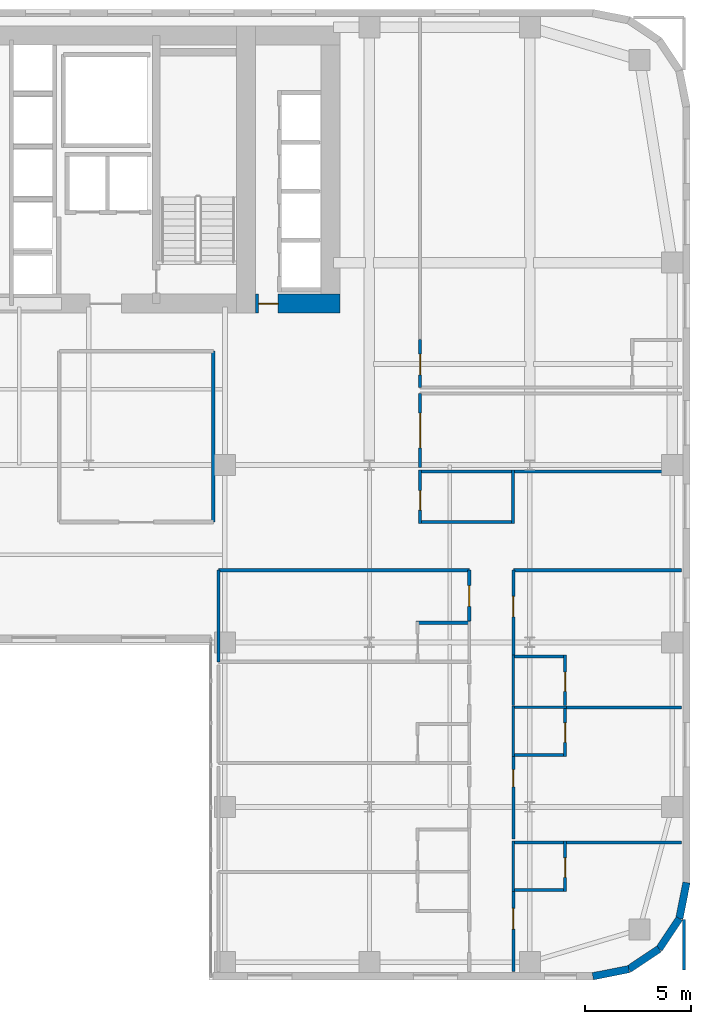
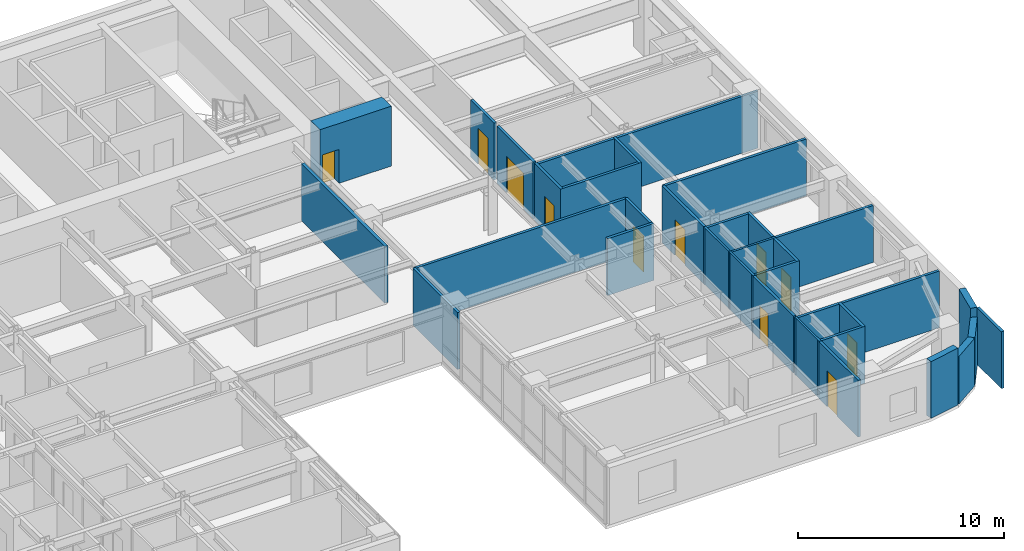
# One storey, part 13 of 17: 34 walls, 11 doors, 11 openings.
"""IFC4 building model written with IfcOpenShell, lengths in metres."""

from ifc_helpers import new_model, si_unit, direction, frame, frame_2d, origin, place, context, subcontext, project, spatial, rectangle, extrude, source, transform, mapped, material, layer, layer_set, type_object, type_shapes, element, fill, save


model = new_model("IFC4")

# Units and contexts
model_context = context("Model", 3, precision=1e-05, world=origin(), true_north=direction((0.0, 1.0)))
body_context = subcontext(model_context, "Body", "Model", "MODEL_VIEW")
ifc_project = project(units=[si_unit("LENGTHUNIT", "METRE"), si_unit("AREAUNIT", "SQUARE_METRE"), si_unit("VOLUMEUNIT", "CUBIC_METRE"), si_unit("PLANEANGLEUNIT", "RADIAN"), si_unit("MASSUNIT", "GRAM", prefix="KILO")], contexts=[model_context])

# Site, building, storey
site_placement = place(None, origin())
site = spatial("IfcSite", under=ifc_project, at=site_placement, CompositionType="ELEMENT")
building_placement = place(site_placement, origin())
building = spatial("IfcBuilding", under=site, at=building_placement, Name="Tolvann Quenvar Hotel", CompositionType="ELEMENT")
storey_placement = place(building_placement, frame((0.0, 0.0, 42.64990234375)))
storey = spatial("IfcBuildingStorey", under=building, at=storey_placement, Name="L09", CompositionType="ELEMENT", Elevation=42.64990234375)

# Wall, opening, door
ifc_material_1 = material(Name="Concrete S80 (80 MPa)", Category="concrete")
ifc_layer_1 = layer(ifc_material_1, 0.89990234375)
ifc_layer_set_1 = layer_set([ifc_layer_1], Name="Concrete S80 (80 MPa)")
wall_type_1 = type_object("IfcWallType", Name="WALL_CORE_900", PredefinedType="SHEAR", material=ifc_layer_set_1)
wall_1_placement = place(storey_placement, frame((36.39990234375, 32.050048828125, 0.0), z_axis=(0.0, 0.0, 1.0), x_axis=(1.0, 0.0, 0.0)))
wall_1 = element("IfcWall", 1, at=wall_1_placement, inside=storey, type_object=wall_type_1, Name="Core East Annex Shear Wall ANN-S (L09)", PredefinedType="SHEAR", context=body_context, shape_type="SweptSolid", body=[
    extrude(rectangle(XDim=4.0, YDim=0.89990234375, at=frame_2d((2.0, 0.0))), origin(), (0.0, 0.0, 1.0), 3.550048828125),
])
opening_1_placement = place(wall_1_placement, frame((1.06982421875, 0.0, 0.0), z_axis=(0.0, 0.0, 1.0), x_axis=(-1.0, 0.0, 0.0)))
opening_1 = element("IfcOpeningElement", 2, at=opening_1_placement, cuts=wall_1, Name="Opening WD-01", PredefinedType="OPENING", context=body_context, shape_type="SweptSolid", body=[
    extrude(rectangle(XDim=0.919921875, YDim=2.010009765625, at=frame_2d((0.4599609375, 1.0048828125))), frame((0.0, 0.4599609375, 0.0), z_axis=(0.0, -1.0, 0.0), x_axis=(1.0, 0.0, 0.0)), (0.0, 0.0, 1.0), 0.919921875),
])
ifc_material_2 = material(Name="Solid-core American oak acoustic fire door leaf in steel frame", Category="steel")
door_type_1 = type_object("IfcDoorType", Name="DOOR_WC_920", OperationType="NOTDEFINED", PredefinedType="DOOR", material=ifc_material_2)
shared_shape_1 = source(origin(), body_context, "Body", "SweptSolid", [
    extrude(rectangle(XDim=0.919921875, YDim=2.010009765625, at=frame_2d((0.4599609375, 1.0048828125))), frame((0.0, 0.02490234375, 0.0), z_axis=(0.0, -1.0, 0.0), x_axis=(1.0, 0.0, 0.0)), (0.0, 0.0, 1.0), 0.050048828125),
])
type_shapes(door_type_1, [shared_shape_1])
door_1_placement = place(opening_1_placement, origin())
door_1 = element("IfcDoor", 3, at=door_1_placement, inside=storey, type_object=door_type_1, Name="Low-Rise Lift Lobby Fire Door (L09)", OperationType="SINGLE_SWING_RIGHT", OverallHeight=2.010009765625, OverallWidth=0.919921875, PredefinedType="DOOR", context=body_context, shape_type="MappedRepresentation", body=[
    mapped(shared_shape_1, transform((0.0, 0.0, 0.0), x_axis=(1.0, 0.0, 0.0), y_axis=(0.0, 1.0, 0.0), z_axis=(0.0, 0.0, 1.0), scale=1.0)),
])
fill(opening_1, door_1)

# Walls
ifc_material_3 = material(Name="Kiln-fired red and buff architectural clay brickwork and terracotta masonry", Category="masonry")
ifc_layer_2 = layer(ifc_material_3, 0.35009765625)
ifc_layer_set_2 = layer_set([ifc_layer_2], Name="Kiln-fired red and buff architectural clay brickwork and terracotta masonry")
wall_type_2 = type_object("IfcWallType", Name="WALL_EXT_BRICK_350", PredefinedType="SOLIDWALL", material=ifc_layer_set_2)
wall_2_placement = place(storey_placement, frame((52.3828125, 0.175048828125, 0.0), z_axis=(0.0, 0.0, 1.0), x_axis=(0.980800971659, 0.195011420161, 0.0)))
element("IfcWall", 4, at=wall_2_placement, inside=storey, type_object=wall_type_2, Name="Exterior Chicago Brick Wall L09-E09", PredefinedType="SOLIDWALL", context=body_context, shape_type="SweptSolid", body=[
    extrude(rectangle(XDim=1.74267578125, YDim=0.35009765625, at=frame_2d((0.871337890625, 0.0))), origin(), (0.0, 0.0, 1.0), 3.3701171875),
])
for number, where, z_axis, x_axis, name in (
    (5, (54.092041015625, 0.514892578125, 0.0), (0.0, 0.0, 1.0), (0.831483840845, 0.55554893791, 0.0), "Exterior Chicago Brick Wall L09-E10"),
    (6, (55.526611328125, 1.473388671875, 0.0), (0.0, 0.0, 1.0), (0.55554893791, 0.831483840845, 0.0), "Exterior Chicago Brick Wall L09-E11"),
):
    element("IfcWall", number, at=place(storey_placement, frame(where, z_axis=z_axis, x_axis=x_axis)), inside=storey, type_object=wall_type_2, Name=name, PredefinedType="SOLIDWALL", context=body_context, shape_type="SweptSolid", body=[
        extrude(rectangle(XDim=1.725341796875, YDim=0.35009765625, at=frame_2d((0.86279296875, 0.0))), origin(), (0.0, 0.0, 1.0), 2.83203125),
    ])
wall_3_placement = place(storey_placement, frame((56.485107421875, 2.907958984375, 0.0), z_axis=(0.0, 0.0, 1.0), x_axis=(0.195011420161, 0.980800971659, 0.0)))
element("IfcWall", 7, at=wall_3_placement, inside=storey, type_object=wall_type_2, Name="Exterior Chicago Brick Wall L09-E12", PredefinedType="SOLIDWALL", context=body_context, shape_type="SweptSolid", body=[
    extrude(rectangle(XDim=1.74267578125, YDim=0.35009765625, at=frame_2d((0.871337890625, 0.0))), origin(), (0.0, 0.0, 1.0), 3.3701171875),
])
ifc_material_4 = material(Name="Acoustic twin-stud fire-rated gypsum plasterboard partition")
ifc_layer_3 = layer(ifc_material_4, 0.179931640625)
ifc_layer_set_3 = layer_set([ifc_layer_3], Name="Acoustic twin-stud fire-rated gypsum plasterboard partition")
wall_type_3 = type_object("IfcWallType", Name="WALL_PART_ACOUSTIC_180", PredefinedType="PARTITIONING", material=ifc_layer_set_3)
wall_4_placement = place(storey_placement, frame((34.39990234375, 21.699951171875, 0.0), z_axis=(0.0, 0.0, 1.0), x_axis=(0.0, 1.0, 0.0)))
element("IfcWall", 8, at=wall_4_placement, inside=storey, type_object=wall_type_3, Name="Interior Partition PT-SPC-L09-MSP-C-E", PredefinedType="PARTITIONING", context=body_context, shape_type="SweptSolid", body=[
    extrude(rectangle(XDim=8.10009765625, YDim=0.179931640625, at=frame_2d((4.050048828125, 0.0))), origin(), (0.0, 0.0, 1.0), 3.3701171875),
])
ifc_material_5 = material(Name="Moisture-resistant acoustic plumbing wall assembly")
ifc_layer_4 = layer(ifc_material_5, 0.1201171875)
ifc_layer_set_4 = layer_set([ifc_layer_4], Name="Moisture-resistant acoustic plumbing wall assembly")
wall_type_4 = type_object("IfcWallType", Name="WALL_PART_BATH_120", PredefinedType="PLUMBINGWALL", material=ifc_layer_set_4)
wall_5_placement = place(storey_placement, frame((48.6201171875, 4.199951171875, 0.0), z_axis=(0.0, 0.0, 1.0), x_axis=(0.0, 1.0, 0.0)))
element("IfcWall", 9, at=wall_5_placement, inside=storey, type_object=wall_type_4, Name="Non-Rated Plumbing Partition PT-SPC-L09-ENS-EO01-W", PredefinedType="PLUMBINGWALL", context=body_context, shape_type="SweptSolid", body=[
    extrude(rectangle(XDim=2.39013671875, YDim=0.1201171875, at=frame_2d((1.195068359375, 0.0))), origin(), (0.0, 0.0, 1.0), 3.3701171875),
])
wall_6_placement = place(storey_placement, frame((48.550048828125, 12.919921875, 0.0), z_axis=(0.0, 0.0, 1.0), x_axis=(1.0, 0.0, 0.0)))
element("IfcWall", 10, at=wall_6_placement, inside=storey, type_object=wall_type_4, Name="Non-Rated Plumbing Partition PT-SPC-L09-ENS-EO02-N", PredefinedType="PLUMBINGWALL", context=body_context, shape_type="SweptSolid", body=[
    extrude(rectangle(XDim=2.58984375, YDim=0.1201171875, at=frame_2d((1.294921875, 0.0))), origin(), (0.0, 0.0, 1.0), 3.3701171875),
])
for number, where, z_axis, x_axis, name in (
    (11, (48.6201171875, 10.60009765625, 0.0), (0.0, 0.0, 1.0), (0.0, 1.0, 0.0), "Non-Rated Plumbing Partition PT-SPC-L09-ENS-EO02-W"),
    (12, (48.6201171875, 13.010009765625, 0.0), (0.0, 0.0, 1.0), (0.0, 1.0, 0.0), "Non-Rated Plumbing Partition PT-SPC-L09-ENS-EO03-W"),
):
    element("IfcWall", number, at=place(storey_placement, frame(where, z_axis=z_axis, x_axis=x_axis)), inside=storey, type_object=wall_type_4, Name=name, PredefinedType="PLUMBINGWALL", context=body_context, shape_type="SweptSolid", body=[
        extrude(rectangle(XDim=2.389892578125, YDim=0.1201171875, at=frame_2d((1.19482421875, 0.0))), origin(), (0.0, 0.0, 1.0), 3.3701171875),
    ])
ifc_layer_5 = layer(ifc_material_4, 0.14990234375)
ifc_layer_set_5 = layer_set([ifc_layer_5], Name="Acoustic twin-stud fire-rated gypsum plasterboard partition")
wall_type_5 = type_object("IfcWallType", Name="WALL_PART_SUITE_150", PredefinedType="PARTITIONING", material=ifc_layer_set_5)
wall_7_placement = place(storey_placement, frame((44.010009765625, 16.929931640625, 0.0), z_axis=(0.0, 0.0, 1.0), x_axis=(1.0, 0.0, 0.0)))
element("IfcWall", 13, at=wall_7_placement, inside=storey, type_object=wall_type_5, Name="Interior Partition PT-SPC-L09-ENS-EI04-N", PredefinedType="PARTITIONING", context=body_context, shape_type="SweptSolid", body=[
    extrude(rectangle(XDim=2.590087890625, YDim=0.14990234375, at=frame_2d((1.294921875, 0.0))), origin(), (0.0, 0.0, 1.0), 3.3701171875),
])

# Wall, opening, door
wall_8_placement = place(storey_placement, frame((51.070068359375, 4.199951171875, 0.0), z_axis=(0.0, 0.0, 1.0), x_axis=(0.0, 1.0, 0.0)))
wall_8 = element("IfcWall", 14, at=wall_8_placement, inside=storey, type_object=wall_type_5, Name="Interior Partition PT-SPC-L09-ENS-EO01-ENT", PredefinedType="PARTITIONING", context=body_context, shape_type="SweptSolid", body=[
    extrude(rectangle(XDim=2.39013671875, YDim=0.14990234375, at=frame_2d((1.195068359375, 0.0))), origin(), (0.0, 0.0, 1.0), 3.3701171875),
])
opening_2_placement = place(wall_8_placement, frame((0.6650390625, 0.0, 0.0)))
opening_2 = element("IfcOpeningElement", 15, at=opening_2_placement, cuts=wall_8, Name="Opening WD-01", PredefinedType="OPENING", context=body_context, shape_type="SweptSolid", body=[
    extrude(rectangle(XDim=0.919921875, YDim=2.010009765625, at=frame_2d((0.4599609375, 1.0048828125))), frame((0.0, 0.0849609375, 0.0), z_axis=(0.0, -1.0, 0.0), x_axis=(1.0, 0.0, 0.0)), (0.0, 0.0, 1.0), 0.169921875),
])
door_2_placement = place(opening_2_placement, origin())
door_2 = element("IfcDoor", 16, at=door_2_placement, inside=storey, type_object=door_type_1, Name="Interior Door DOOR-SPC-L09-ENS-EO01", OperationType="SINGLE_SWING_LEFT", OverallHeight=2.010009765625, OverallWidth=0.919921875, PredefinedType="DOOR", context=body_context, shape_type="MappedRepresentation", body=[
    mapped(shared_shape_1, transform((0.0, 0.0, 0.0), x_axis=(1.0, 0.0, 0.0), y_axis=(0.0, 1.0, 0.0), z_axis=(0.0, 0.0, 1.0), scale=1.0)),
])
fill(opening_2, door_2)

# Walls
for number, where, z_axis, x_axis, name in (
    (17, (48.550048828125, 4.27001953125, 0.0), (0.0, 0.0, 1.0), (1.0, 0.0, 0.0), "Interior Partition PT-SPC-L09-ENS-EO01-S"),
    (18, (48.550048828125, 6.52001953125, 0.0), (0.0, 0.0, 1.0), (1.0, 0.0, 0.0), "Interior Partition PT-SPC-L09-ENS-EO01-N"),
):
    element("IfcWall", number, at=place(storey_placement, frame(where, z_axis=z_axis, x_axis=x_axis)), inside=storey, type_object=wall_type_5, Name=name, PredefinedType="PARTITIONING", context=body_context, shape_type="SweptSolid", body=[
        extrude(rectangle(XDim=2.58984375, YDim=0.14990234375, at=frame_2d((1.294921875, 0.0))), origin(), (0.0, 0.0, 1.0), 3.3701171875),
    ])

# Wall, opening, door
wall_9_placement = place(storey_placement, frame((51.070068359375, 10.60009765625, 0.0), z_axis=(0.0, 0.0, 1.0), x_axis=(0.0, 1.0, 0.0)))
wall_9 = element("IfcWall", 19, at=wall_9_placement, inside=storey, type_object=wall_type_5, Name="Interior Partition PT-SPC-L09-ENS-EO02-ENT", PredefinedType="PARTITIONING", context=body_context, shape_type="SweptSolid", body=[
    extrude(rectangle(XDim=2.389892578125, YDim=0.14990234375, at=frame_2d((1.19482421875, 0.0))), origin(), (0.0, 0.0, 1.0), 3.3701171875),
])
opening_3_placement = place(wall_9_placement, frame((0.6650390625, 0.0, 0.0)))
opening_3 = element("IfcOpeningElement", 20, at=opening_3_placement, cuts=wall_9, Name="Opening WD-01", PredefinedType="OPENING", context=body_context, shape_type="SweptSolid", body=[
    extrude(rectangle(XDim=0.919921875, YDim=2.010009765625, at=frame_2d((0.4599609375, 1.0048828125))), frame((0.0, 0.0849609375, 0.0), z_axis=(0.0, -1.0, 0.0), x_axis=(1.0, 0.0, 0.0)), (0.0, 0.0, 1.0), 0.169921875),
])
door_3_placement = place(opening_3_placement, origin())
door_3 = element("IfcDoor", 21, at=door_3_placement, inside=storey, type_object=door_type_1, Name="Interior Door DOOR-SPC-L09-ENS-EO02", OperationType="SINGLE_SWING_RIGHT", OverallHeight=2.010009765625, OverallWidth=0.919921875, PredefinedType="DOOR", context=body_context, shape_type="MappedRepresentation", body=[
    mapped(shared_shape_1, transform((0.0, 0.0, 0.0), x_axis=(1.0, 0.0, 0.0), y_axis=(0.0, 1.0, 0.0), z_axis=(0.0, 0.0, 1.0), scale=1.0)),
])
fill(opening_3, door_3)

# Wall
wall_10_placement = place(storey_placement, frame((48.550048828125, 10.669921875, 0.0), z_axis=(0.0, 0.0, 1.0), x_axis=(1.0, 0.0, 0.0)))
element("IfcWall", 22, at=wall_10_placement, inside=storey, type_object=wall_type_5, Name="Interior Partition PT-SPC-L09-ENS-EO02-S", PredefinedType="PARTITIONING", context=body_context, shape_type="SweptSolid", body=[
    extrude(rectangle(XDim=2.58984375, YDim=0.14990234375, at=frame_2d((1.294921875, 0.0))), origin(), (0.0, 0.0, 1.0), 3.3701171875),
])

# Wall, opening, door
wall_11_placement = place(storey_placement, frame((51.070068359375, 13.010009765625, 0.0), z_axis=(0.0, 0.0, 1.0), x_axis=(0.0, 1.0, 0.0)))
wall_11 = element("IfcWall", 23, at=wall_11_placement, inside=storey, type_object=wall_type_5, Name="Interior Partition PT-SPC-L09-ENS-EO03-ENT", PredefinedType="PARTITIONING", context=body_context, shape_type="SweptSolid", body=[
    extrude(rectangle(XDim=2.389892578125, YDim=0.14990234375, at=frame_2d((1.19482421875, 0.0))), origin(), (0.0, 0.0, 1.0), 3.3701171875),
])
opening_4_placement = place(wall_11_placement, frame((0.6650390625, 0.0, 0.0)))
opening_4 = element("IfcOpeningElement", 24, at=opening_4_placement, cuts=wall_11, Name="Opening WD-01", PredefinedType="OPENING", context=body_context, shape_type="SweptSolid", body=[
    extrude(rectangle(XDim=0.919921875, YDim=2.010009765625, at=frame_2d((0.4599609375, 1.0048828125))), frame((0.0, 0.0849609375, 0.0), z_axis=(0.0, -1.0, 0.0), x_axis=(1.0, 0.0, 0.0)), (0.0, 0.0, 1.0), 0.169921875),
])
door_4_placement = place(opening_4_placement, origin())
door_4 = element("IfcDoor", 25, at=door_4_placement, inside=storey, type_object=door_type_1, Name="Interior Door DOOR-SPC-L09-ENS-EO03", OperationType="SINGLE_SWING_LEFT", OverallHeight=2.010009765625, OverallWidth=0.919921875, PredefinedType="DOOR", context=body_context, shape_type="MappedRepresentation", body=[
    mapped(shared_shape_1, transform((0.0, 0.0, 0.0), x_axis=(1.0, 0.0, 0.0), y_axis=(0.0, 1.0, 0.0), z_axis=(0.0, 0.0, 1.0), scale=1.0)),
])
fill(opening_4, door_4)

# Wall
wall_12_placement = place(storey_placement, frame((48.550048828125, 15.330078125, 0.0), z_axis=(0.0, 0.0, 1.0), x_axis=(1.0, 0.0, 0.0)))
element("IfcWall", 26, at=wall_12_placement, inside=storey, type_object=wall_type_5, Name="Interior Partition PT-SPC-L09-ENS-EO03-N", PredefinedType="PARTITIONING", context=body_context, shape_type="SweptSolid", body=[
    extrude(rectangle(XDim=2.58984375, YDim=0.14990234375, at=frame_2d((1.294921875, 0.0))), origin(), (0.0, 0.0, 1.0), 3.3701171875),
])

# Wall, opening, door
wall_13_placement = place(storey_placement, frame((46.530029296875, 17.010009765625, 0.0), z_axis=(0.0, 0.0, 1.0), x_axis=(0.0, 1.0, 0.0)))
wall_13 = element("IfcWall", 27, at=wall_13_placement, inside=storey, type_object=wall_type_5, Name="Interior Partition PT-SPC-L09-RM-EI04-ENT", PredefinedType="PARTITIONING", context=body_context, shape_type="SweptSolid", body=[
    extrude(rectangle(XDim=2.409912109375, YDim=0.14990234375, at=frame_2d((1.205078125, 0.0))), origin(), (0.0, 0.0, 1.0), 3.3701171875),
])
opening_5_placement = place(wall_13_placement, frame((0.695068359375, 0.0, 0.0)))
opening_5 = element("IfcOpeningElement", 28, at=opening_5_placement, cuts=wall_13, Name="Opening SD-01", PredefinedType="OPENING", context=body_context, shape_type="SweptSolid", body=[
    extrude(rectangle(XDim=0.97998046875, YDim=2.1201171875, at=frame_2d((0.489990234375, 1.06005859375))), frame((0.0, 0.0849609375, 0.0), z_axis=(0.0, -1.0, 0.0), x_axis=(1.0, 0.0, 0.0)), (0.0, 0.0, 1.0), 0.169921875),
])
door_type_2 = type_object("IfcDoorType", Name="DOOR_SUITE_980", OperationType="NOTDEFINED", PredefinedType="DOOR", material=ifc_material_2)
shared_shape_2 = source(origin(), body_context, "Body", "SweptSolid", [
    extrude(rectangle(XDim=0.97998046875, YDim=2.1201171875, at=frame_2d((0.489990234375, 1.06005859375))), frame((0.0, 0.02490234375, 0.0), z_axis=(0.0, -1.0, 0.0), x_axis=(1.0, 0.0, 0.0)), (0.0, 0.0, 1.0), 0.050048828125),
])
type_shapes(door_type_2, [shared_shape_2])
door_5_placement = place(opening_5_placement, origin())
door_5 = element("IfcDoor", 29, at=door_5_placement, inside=storey, type_object=door_type_2, Name="Interior Door DOOR-SPC-L09-RM-EI04", OperationType="SINGLE_SWING_LEFT", OverallHeight=2.1201171875, OverallWidth=0.97998046875, PredefinedType="DOOR", context=body_context, shape_type="MappedRepresentation", body=[
    mapped(shared_shape_2, transform((0.0, 0.0, 0.0), x_axis=(1.0, 0.0, 0.0), y_axis=(0.0, 1.0, 0.0), z_axis=(0.0, 0.0, 1.0), scale=1.0)),
])
fill(opening_5, door_5)

# Walls
wall_14_placement = place(storey_placement, frame((34.64990234375, 19.419921875, 0.0), z_axis=(0.0, 0.0, 1.0), x_axis=(1.0, 0.0, 0.0)))
element("IfcWall", 30, at=wall_14_placement, inside=storey, type_object=wall_type_5, Name="Interior Partition PT-SPC-L09-RM-EI04-E5", PredefinedType="PARTITIONING", context=body_context, shape_type="SweptSolid", body=[
    extrude(rectangle(XDim=11.880126953125, YDim=0.14990234375, at=frame_2d((5.93994140625, 0.0))), origin(), (0.0, 0.0, 1.0), 3.3701171875),
])
wall_15_placement = place(storey_placement, frame((34.64990234375, 15.080078125, 0.0), z_axis=(0.0, 0.0, 1.0), x_axis=(0.0, 1.0, 0.0)))
element("IfcWall", 31, at=wall_15_placement, inside=storey, type_object=wall_type_5, Name="Interior Partition PT-SPC-L09-RM-EI04-E6", PredefinedType="PARTITIONING", context=body_context, shape_type="SweptSolid", body=[
    extrude(rectangle(XDim=4.33984375, YDim=0.14990234375, at=frame_2d((2.169921875, 0.0))), origin(), (0.0, 0.0, 1.0), 3.3701171875),
])

# Wall, opening, door
wall_16_placement = place(storey_placement, frame((48.6201171875, 0.405029296875, 0.0), z_axis=(0.0, 0.0, 1.0), x_axis=(0.0, 1.0, 0.0)))
wall_16 = element("IfcWall", 32, at=wall_16_placement, inside=storey, type_object=wall_type_5, Name="Interior Partition PT-SPC-L09-RM-EO01-ENT", PredefinedType="PARTITIONING", context=body_context, shape_type="SweptSolid", body=[
    extrude(rectangle(XDim=3.784912109375, YDim=0.14990234375, at=frame_2d((1.892578125, 0.0))), origin(), (0.0, 0.0, 1.0), 3.3701171875),
])
opening_6_placement = place(wall_16_placement, frame((2.010009765625, 0.0, 0.0)))
opening_6 = element("IfcOpeningElement", 33, at=opening_6_placement, cuts=wall_16, Name="Opening SD-01", PredefinedType="OPENING", context=body_context, shape_type="SweptSolid", body=[
    extrude(rectangle(XDim=0.97998046875, YDim=2.1201171875, at=frame_2d((0.489990234375, 1.06005859375))), frame((0.0, 0.0849609375, 0.0), z_axis=(0.0, -1.0, 0.0), x_axis=(1.0, 0.0, 0.0)), (0.0, 0.0, 1.0), 0.169921875),
])
door_6_placement = place(opening_6_placement, origin())
door_6 = element("IfcDoor", 34, at=door_6_placement, inside=storey, type_object=door_type_2, Name="Interior Door DOOR-SPC-L09-RM-EO01", OperationType="SINGLE_SWING_RIGHT", OverallHeight=2.1201171875, OverallWidth=0.97998046875, PredefinedType="DOOR", context=body_context, shape_type="MappedRepresentation", body=[
    mapped(shared_shape_2, transform((0.0, 0.0, 0.0), x_axis=(1.0, 0.0, 0.0), y_axis=(0.0, 1.0, 0.0), z_axis=(0.0, 0.0, 1.0), scale=1.0)),
])
fill(opening_6, door_6)

# Walls
wall_17_placement = place(storey_placement, frame((56.699951171875, 0.47998046875, 0.0), z_axis=(0.0, 0.0, 1.0), x_axis=(0.0, 1.0, 0.0)))
element("IfcWall", 35, at=wall_17_placement, inside=storey, type_object=wall_type_5, Name="Interior Partition PT-SPC-L09-RM-EO01-E2", PredefinedType="PARTITIONING", context=body_context, shape_type="SweptSolid", body=[
    extrude(rectangle(XDim=2.385009765625, YDim=0.14990234375, at=frame_2d((1.1923828125, 0.0))), origin(), (0.0, 0.0, 1.0), 3.3701171875),
])
wall_18_placement = place(storey_placement, frame((51.090087890625, 6.52001953125, 0.0), z_axis=(0.0, 0.0, 1.0), x_axis=(1.0, 0.0, 0.0)))
element("IfcWall", 36, at=wall_18_placement, inside=storey, type_object=wall_type_5, Name="Interior Partition PT-SPC-L09-RM-EO01-E3", PredefinedType="PARTITIONING", context=body_context, shape_type="SweptSolid", body=[
    extrude(rectangle(XDim=5.5048828125, YDim=0.14990234375, at=frame_2d((2.75244140625, 0.0))), origin(), (0.0, 0.0, 1.0), 3.3701171875),
])

# Wall, opening, door
wall_19_placement = place(storey_placement, frame((48.6201171875, 6.679931640625, 0.0), z_axis=(0.0, 0.0, 1.0), x_axis=(0.0, 1.0, 0.0)))
wall_19 = element("IfcWall", 37, at=wall_19_placement, inside=storey, type_object=wall_type_5, Name="Interior Partition PT-SPC-L09-RM-EO02-ENT", PredefinedType="PARTITIONING", context=body_context, shape_type="SweptSolid", body=[
    extrude(rectangle(XDim=3.91015625, YDim=0.14990234375, at=frame_2d((1.955078125, 0.0))), origin(), (0.0, 0.0, 1.0), 3.3701171875),
])
opening_7_placement = place(wall_19_placement, frame((2.47509765625, 0.0, 0.0)))
opening_7 = element("IfcOpeningElement", 38, at=opening_7_placement, cuts=wall_19, Name="Opening HD-02", PredefinedType="OPENING", context=body_context, shape_type="SweptSolid", body=[
    extrude(rectangle(XDim=0.820068359375, YDim=2.010009765625, at=frame_2d((0.41015625, 1.0048828125))), frame((0.0, 0.0849609375, 0.0), z_axis=(0.0, -1.0, 0.0), x_axis=(1.0, 0.0, 0.0)), (0.0, 0.0, 1.0), 0.169921875),
])
ifc_material_6 = material(Name="Pressed galvanised steel fire-rated door set", Category="steel")
door_type_3 = type_object("IfcDoorType", Name="DOOR_STORE_820", OperationType="NOTDEFINED", PredefinedType="DOOR", material=ifc_material_6)
shared_shape_3 = source(origin(), body_context, "Body", "SweptSolid", [
    extrude(rectangle(XDim=0.820068359375, YDim=2.010009765625, at=frame_2d((0.41015625, 1.0048828125))), frame((0.0, 0.02490234375, 0.0), z_axis=(0.0, -1.0, 0.0), x_axis=(1.0, 0.0, 0.0)), (0.0, 0.0, 1.0), 0.050048828125),
])
type_shapes(door_type_3, [shared_shape_3])
door_7_placement = place(opening_7_placement, origin())
door_7 = element("IfcDoor", 39, at=door_7_placement, inside=storey, type_object=door_type_3, Name="Interior Door DOOR-SPC-L09-RM-EO02", OperationType="SINGLE_SWING_LEFT", OverallHeight=2.010009765625, OverallWidth=0.820068359375, PredefinedType="DOOR", context=body_context, shape_type="MappedRepresentation", body=[
    mapped(shared_shape_3, transform((0.0, 0.0, 0.0), x_axis=(1.0, 0.0, 0.0), y_axis=(0.0, 1.0, 0.0), z_axis=(0.0, 0.0, 1.0), scale=1.0)),
])
fill(opening_7, door_7)

# Wall
wall_20_placement = place(storey_placement, frame((51.090087890625, 12.919921875, 0.0), z_axis=(0.0, 0.0, 1.0), x_axis=(1.0, 0.0, 0.0)))
element("IfcWall", 40, at=wall_20_placement, inside=storey, type_object=wall_type_5, Name="Interior Partition PT-SPC-L09-RM-EO02-E3", PredefinedType="PARTITIONING", context=body_context, shape_type="SweptSolid", body=[
    extrude(rectangle(XDim=5.5048828125, YDim=0.14990234375, at=frame_2d((2.75244140625, 0.0))), origin(), (0.0, 0.0, 1.0), 3.3701171875),
])

# Wall, opening, door
wall_21_placement = place(storey_placement, frame((48.6201171875, 15.409912109375, 0.0), z_axis=(0.0, 0.0, 1.0), x_axis=(0.0, 1.0, 0.0)))
wall_21 = element("IfcWall", 41, at=wall_21_placement, inside=storey, type_object=wall_type_5, Name="Interior Partition PT-SPC-L09-RM-EO03-ENT", PredefinedType="PARTITIONING", context=body_context, shape_type="SweptSolid", body=[
    extrude(rectangle(XDim=4.010009765625, YDim=0.14990234375, at=frame_2d((2.0048828125, 0.0))), origin(), (0.0, 0.0, 1.0), 3.3701171875),
])
opening_8_placement = place(wall_21_placement, frame((1.794921875, 0.0, 0.0)))
opening_8 = element("IfcOpeningElement", 42, at=opening_8_placement, cuts=wall_21, Name="Opening SD-01", PredefinedType="OPENING", context=body_context, shape_type="SweptSolid", body=[
    extrude(rectangle(XDim=0.97998046875, YDim=2.1201171875, at=frame_2d((0.489990234375, 1.06005859375))), frame((0.0, 0.0849609375, 0.0), z_axis=(0.0, -1.0, 0.0), x_axis=(1.0, 0.0, 0.0)), (0.0, 0.0, 1.0), 0.169921875),
])
door_8_placement = place(opening_8_placement, origin())
door_8 = element("IfcDoor", 43, at=door_8_placement, inside=storey, type_object=door_type_2, Name="Interior Door DOOR-SPC-L09-RM-EO03", OperationType="SINGLE_SWING_RIGHT", OverallHeight=2.1201171875, OverallWidth=0.97998046875, PredefinedType="DOOR", context=body_context, shape_type="MappedRepresentation", body=[
    mapped(shared_shape_2, transform((0.0, 0.0, 0.0), x_axis=(1.0, 0.0, 0.0), y_axis=(0.0, 1.0, 0.0), z_axis=(0.0, 0.0, 1.0), scale=1.0)),
])
fill(opening_8, door_8)

# Wall
wall_22_placement = place(storey_placement, frame((48.6201171875, 19.419921875, 0.0), z_axis=(0.0, 0.0, 1.0), x_axis=(1.0, 0.0, 0.0)))
element("IfcWall", 44, at=wall_22_placement, inside=storey, type_object=wall_type_5, Name="Interior Partition PT-SPC-L09-RM-EO03-E5", PredefinedType="PARTITIONING", context=body_context, shape_type="SweptSolid", body=[
    extrude(rectangle(XDim=7.974853515625, YDim=0.14990234375, at=frame_2d((3.9873046875, 0.0))), origin(), (0.0, 0.0, 1.0), 3.3701171875),
])

# Wall, opening, door
wall_23_placement = place(storey_placement, frame((44.199951171875, 21.6298828125, 0.0), z_axis=(0.0, 0.0, 1.0), x_axis=(0.0, 1.0, 0.0)))
wall_23 = element("IfcWall", 45, at=wall_23_placement, inside=storey, type_object=wall_type_5, Name="Interior Partition PT-SPC-L09-WCA-ENT", PredefinedType="PARTITIONING", context=body_context, shape_type="SweptSolid", body=[
    extrude(rectangle(XDim=2.5400390625, YDim=0.14990234375, at=frame_2d((1.27001953125, 0.0))), origin(), (0.0, 0.0, 1.0), 3.3701171875),
])
opening_9_placement = place(wall_23_placement, frame((0.639892578125, 0.0, 0.0)))
opening_9 = element("IfcOpeningElement", 46, at=opening_9_placement, cuts=wall_23, Name="Opening WD-01", PredefinedType="OPENING", context=body_context, shape_type="SweptSolid", body=[
    extrude(rectangle(XDim=0.919921875, YDim=2.010009765625, at=frame_2d((0.4599609375, 1.0048828125))), frame((0.0, 0.0849609375, 0.0), z_axis=(0.0, -1.0, 0.0), x_axis=(1.0, 0.0, 0.0)), (0.0, 0.0, 1.0), 0.169921875),
])
door_9_placement = place(opening_9_placement, origin())
door_9 = element("IfcDoor", 47, at=door_9_placement, inside=storey, type_object=door_type_1, Name="Interior Door DOOR-SPC-L09-WCA", OperationType="SINGLE_SWING_LEFT", OverallHeight=2.010009765625, OverallWidth=0.919921875, PredefinedType="DOOR", context=body_context, shape_type="MappedRepresentation", body=[
    mapped(shared_shape_1, transform((0.0, 0.0, 0.0), x_axis=(1.0, 0.0, 0.0), y_axis=(0.0, 1.0, 0.0), z_axis=(0.0, 0.0, 1.0), scale=1.0)),
])
fill(opening_9, door_9)

# Walls
wall_24_placement = place(storey_placement, frame((44.1298828125, 21.699951171875, 0.0), z_axis=(0.0, 0.0, 1.0), x_axis=(1.0, 0.0, 0.0)))
element("IfcWall", 48, at=wall_24_placement, inside=storey, type_object=wall_type_5, Name="Interior Partition PT-SPC-L09-WCA-S", PredefinedType="PARTITIONING", context=body_context, shape_type="SweptSolid", body=[
    extrude(rectangle(XDim=4.5400390625, YDim=0.14990234375, at=frame_2d((2.27001953125, 0.0))), origin(), (0.0, 0.0, 1.0), 3.3701171875),
])
wall_25_placement = place(storey_placement, frame((44.1298828125, 24.10009765625, 0.0), z_axis=(0.0, 0.0, 1.0), x_axis=(1.0, 0.0, 0.0)))
element("IfcWall", 49, at=wall_25_placement, inside=storey, type_object=wall_type_5, Name="Interior Partition PT-SPC-L09-WCA-N", PredefinedType="PARTITIONING", context=body_context, shape_type="SweptSolid", body=[
    extrude(rectangle(XDim=12.465087890625, YDim=0.14990234375, at=frame_2d((6.232421875, 0.0))), origin(), (0.0, 0.0, 1.0), 3.3701171875),
])
wall_26_placement = place(storey_placement, frame((48.60009765625, 21.6298828125, 0.0), z_axis=(0.0, 0.0, 1.0), x_axis=(0.0, 1.0, 0.0)))
element("IfcWall", 50, at=wall_26_placement, inside=storey, type_object=wall_type_5, Name="Interior Partition PT-SPC-L09-WCA-E", PredefinedType="PARTITIONING", context=body_context, shape_type="SweptSolid", body=[
    extrude(rectangle(XDim=2.5400390625, YDim=0.14990234375, at=frame_2d((1.27001953125, 0.0))), origin(), (0.0, 0.0, 1.0), 3.3701171875),
])

# Wall, opening, door
wall_27_placement = place(storey_placement, frame((44.199951171875, 24.280029296875, 0.0), z_axis=(0.0, 0.0, 1.0), x_axis=(0.0, 1.0, 0.0)))
wall_27 = element("IfcWall", 51, at=wall_27_placement, inside=storey, type_object=wall_type_5, Name="Interior Partition PT-SPC-L09-SPA-W", PredefinedType="PARTITIONING", context=body_context, shape_type="SweptSolid", body=[
    extrude(rectangle(XDim=3.52001953125, YDim=0.14990234375, at=frame_2d((1.760009765625, 0.0))), origin(), (0.0, 0.0, 1.0), 3.3701171875),
])
opening_10_placement = place(wall_27_placement, frame((0.93505859375, 0.0, 0.0)))
opening_10 = element("IfcOpeningElement", 52, at=opening_10_placement, cuts=wall_27, Name="Opening AD-01", PredefinedType="OPENING", context=body_context, shape_type="SweptSolid", body=[
    extrude(rectangle(XDim=1.64990234375, YDim=2.14990234375, at=frame_2d((0.824951171875, 1.074951171875))), frame((0.0, 0.0849609375, 0.0), z_axis=(0.0, -1.0, 0.0), x_axis=(1.0, 0.0, 0.0)), (0.0, 0.0, 1.0), 0.169921875),
])
door_type_4 = type_object("IfcDoorType", Name="DOOR_SALON_1650", OperationType="NOTDEFINED", PredefinedType="DOOR", material=ifc_material_2)
shared_shape_4 = source(origin(), body_context, "Body", "SweptSolid", [
    extrude(rectangle(XDim=1.64990234375, YDim=2.14990234375, at=frame_2d((0.824951171875, 1.074951171875))), frame((0.0, 0.02490234375, 0.0), z_axis=(0.0, -1.0, 0.0), x_axis=(1.0, 0.0, 0.0)), (0.0, 0.0, 1.0), 0.050048828125),
])
type_shapes(door_type_4, [shared_shape_4])
door_10_placement = place(opening_10_placement, origin())
door_10 = element("IfcDoor", 53, at=door_10_placement, inside=storey, type_object=door_type_4, Name="Interior Door DOOR-SPC-L09-SPA", OperationType="DOUBLE_DOOR_SINGLE_SWING", OverallHeight=2.14990234375, OverallWidth=1.64990234375, PredefinedType="DOOR", context=body_context, shape_type="MappedRepresentation", body=[
    mapped(shared_shape_4, transform((0.0, 0.0, 0.0), x_axis=(1.0, 0.0, 0.0), y_axis=(0.0, 1.0, 0.0), z_axis=(0.0, 0.0, 1.0), scale=1.0)),
])
fill(opening_10, door_10)

wall_28_placement = place(storey_placement, frame((44.199951171875, 28.080078125, 0.0), z_axis=(0.0, 0.0, 1.0), x_axis=(0.0, 1.0, 0.0)))
wall_28 = element("IfcWall", 54, at=wall_28_placement, inside=storey, type_object=wall_type_5, Name="Interior Partition PT-SPC-L09-RM-NE01-ENT", PredefinedType="PARTITIONING", context=body_context, shape_type="SweptSolid", body=[
    extrude(rectangle(XDim=2.280029296875, YDim=0.14990234375, at=frame_2d((1.14013671875, 0.0))), origin(), (0.0, 0.0, 1.0), 3.3701171875),
])
opening_11_placement = place(wall_28_placement, frame((0.594970703125, 0.0, 0.0)))
opening_11 = element("IfcOpeningElement", 55, at=opening_11_placement, cuts=wall_28, Name="Opening SD-01", PredefinedType="OPENING", context=body_context, shape_type="SweptSolid", body=[
    extrude(rectangle(XDim=0.97998046875, YDim=2.1201171875, at=frame_2d((0.489990234375, 1.06005859375))), frame((0.0, 0.0849609375, 0.0), z_axis=(0.0, -1.0, 0.0), x_axis=(1.0, 0.0, 0.0)), (0.0, 0.0, 1.0), 0.169921875),
])
door_11_placement = place(opening_11_placement, origin())
door_11 = element("IfcDoor", 56, at=door_11_placement, inside=storey, type_object=door_type_2, Name="Interior Door DOOR-SPC-L09-RM-NE01", OperationType="SINGLE_SWING_RIGHT", OverallHeight=2.1201171875, OverallWidth=0.97998046875, PredefinedType="DOOR", context=body_context, shape_type="MappedRepresentation", body=[
    mapped(shared_shape_2, transform((0.0, 0.0, 0.0), x_axis=(1.0, 0.0, 0.0), y_axis=(0.0, 1.0, 0.0), z_axis=(0.0, 0.0, 1.0), scale=1.0)),
])
fill(opening_11, door_11)

save(model, "model.ifc")
